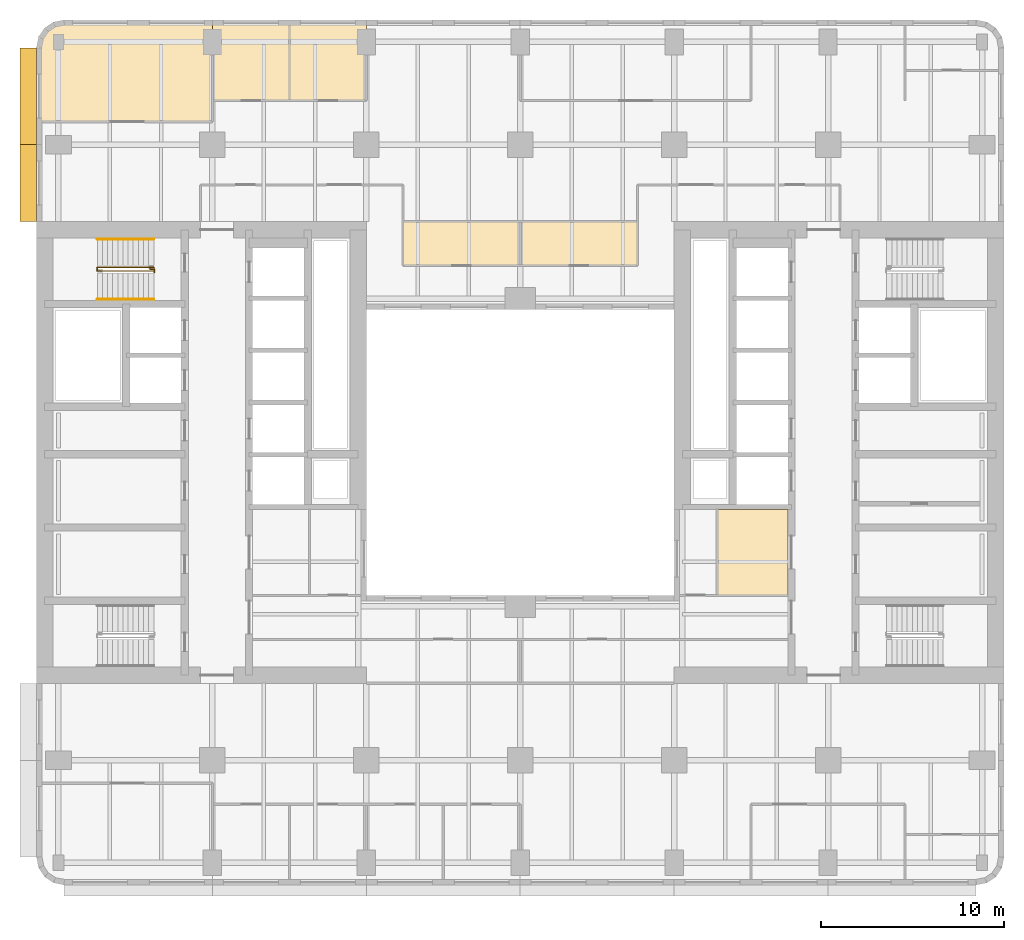
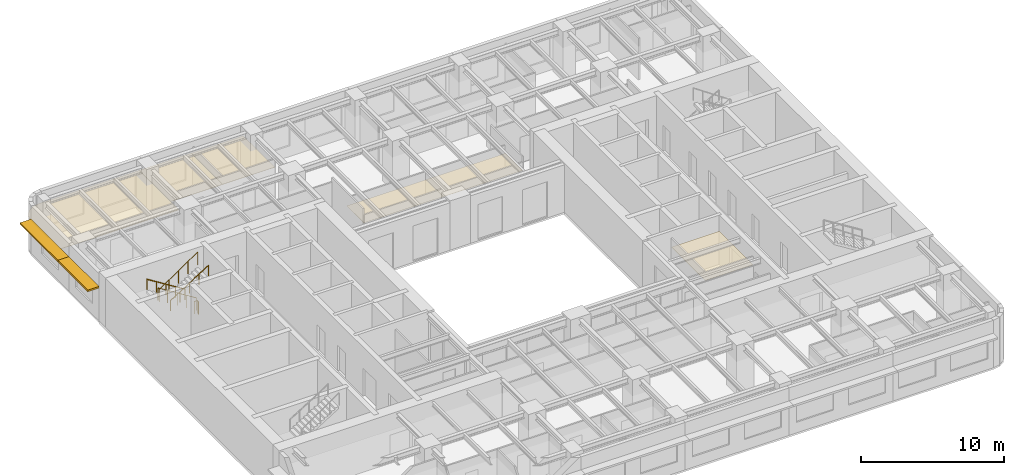
# One storey, part 10 of 11: 6 coverings, 4 railings, 2 shading devices.
"""IFC4 building model written with IfcOpenShell, lengths in metres."""

from ifc_helpers import new_model, si_unit, direction, frame, origin, origin_2d, place, context, subcontext, project, spatial, polyline, rectangle, circle, outline, extrude, material, layer, layer_set, type_object, element, save


model = new_model("IFC4")

# Units and contexts
model_context = context("Model", 3, precision=1e-05, world=origin(), true_north=direction((0.0, 1.0)))
body_context = subcontext(model_context, "Body", "Model", "MODEL_VIEW")
ifc_project = project(units=[si_unit("LENGTHUNIT", "METRE"), si_unit("AREAUNIT", "SQUARE_METRE"), si_unit("VOLUMEUNIT", "CUBIC_METRE"), si_unit("PLANEANGLEUNIT", "RADIAN"), si_unit("MASSUNIT", "GRAM", prefix="KILO")], contexts=[model_context])

# Site, building, storey
site_placement = place(None, origin())
site = spatial("IfcSite", under=ifc_project, at=site_placement, CompositionType="ELEMENT")
building_placement = place(site_placement, origin())
building = spatial("IfcBuilding", under=site, at=building_placement, Name="Claustro Exchange Tower", CompositionType="ELEMENT")
storey_placement = place(building_placement, frame((0.0, 0.0, 117.60009765625)))
storey = spatial("IfcBuildingStorey", under=building, at=storey_placement, Name="L26", CompositionType="ELEMENT", Elevation=117.60009765625)

# Coverings
ifc_material_1 = material(Name="Gypsum board ceiling", Category="gypsum board")
ifc_layer_1 = layer(ifc_material_1, 0.02490234375)
ifc_layer_set_1 = layer_set([ifc_layer_1], Name="Gypsum board ceiling")
covering_type = type_object("IfcCoveringType", Name="CL2 plasterboard ceiling", PredefinedType="CEILING", material=ifc_layer_set_1)
covering_1_placement = place(storey_placement, frame((0.0, 0.0, 2.7998046875)))
element("IfcCovering", 1, at=covering_1_placement, inside=storey, type_object=covering_type, Name="Ceiling CL2 L26-15", PredefinedType="CEILING", context=body_context, shape_type="SweptSolid", body=[
    extrude(outline(polyline([(39.800048828125, 17.39990234375), (39.800048828125, 22.10009765625), (35.9560546875, 22.10009765625), (35.9560546875, 17.39990234375), (39.800048828125, 17.39990234375)])), origin(), (0.0, 0.0, 1.0), 0.025146484375),
])
covering_2_placement = place(storey_placement, frame((0.0, 0.0, 2.7998046875)))
element("IfcCovering", 2, at=covering_2_placement, inside=storey, type_object=covering_type, Name="Ceiling CL2 L26-16", PredefinedType="CEILING", context=body_context, shape_type="SweptSolid", body=[
    extrude(outline(polyline([(18.800048828125, 35.39990234375), (25.199951171875, 35.39990234375), (25.199951171875, 37.800048828125), (18.800048828125, 37.800048828125), (18.800048828125, 35.39990234375)])), origin(), (0.0, 0.0, 1.0), 0.025146484375),
])
covering_3_placement = place(storey_placement, frame((0.0, 0.0, 2.7998046875)))
element("IfcCovering", 3, at=covering_3_placement, inside=storey, type_object=covering_type, Name="Ceiling CL2 L26-18", PredefinedType="CEILING", context=body_context, shape_type="SweptSolid", body=[
    extrude(outline(polyline([(25.199951171875, 35.39990234375), (31.60009765625, 35.39990234375), (31.60009765625, 37.800048828125), (25.199951171875, 37.800048828125), (25.199951171875, 35.39990234375)])), origin(), (0.0, 0.0, 1.0), 0.025146484375),
])
covering_4_placement = place(storey_placement, frame((0.0, 0.0, 2.7998046875)))
element("IfcCovering", 4, at=covering_4_placement, inside=storey, type_object=covering_type, Name="Ceiling CL2 L26-20", PredefinedType="CEILING", context=body_context, shape_type="SweptSolid", body=[
    extrude(outline(polyline([(-1.199951171875, 47.300048828125), (-1.199951171875, 43.25), (8.39990234375, 43.25), (8.39990234375, 48.800048828125), (0.300048828125, 48.800048828125), (-0.27392578125, 48.685791015625), (-0.7607421875, 48.360595703125), (-1.085693359375, 47.8740234375), (-1.199951171875, 47.300048828125)])), origin(), (0.0, 0.0, 1.0), 0.025146484375),
])
covering_5_placement = place(storey_placement, frame((0.0, 0.0, 2.7998046875)))
element("IfcCovering", 5, at=covering_5_placement, inside=storey, type_object=covering_type, Name="Ceiling CL2 L26-21", PredefinedType="CEILING", context=body_context, shape_type="SweptSolid", body=[
    extrude(outline(polyline([(12.60009765625, 48.800048828125), (8.39990234375, 48.800048828125), (8.39990234375, 44.39990234375), (12.60009765625, 44.39990234375), (12.60009765625, 48.800048828125)])), origin(), (0.0, 0.0, 1.0), 0.025146484375),
])
covering_6_placement = place(storey_placement, frame((0.0, 0.0, 2.7998046875)))
element("IfcCovering", 6, at=covering_6_placement, inside=storey, type_object=covering_type, Name="Ceiling CL2 L26-22", PredefinedType="CEILING", context=body_context, shape_type="SweptSolid", body=[
    extrude(outline(polyline([(16.800048828125, 48.800048828125), (12.60009765625, 48.800048828125), (12.60009765625, 44.39990234375), (16.800048828125, 44.39990234375), (16.800048828125, 48.800048828125)])), origin(), (0.0, 0.0, 1.0), 0.025146484375),
])

# Railings
ifc_material_2 = material(Name="Steel balustrade, painted", Category="steel")
railing_type_1 = type_object("IfcRailingType", Name="GR2 1100 steel stair guard", PredefinedType="GUARDRAIL", material=ifc_material_2)
railing_1_placement = place(storey_placement, frame((5.199951171875, 35.300048828125, 0.1748046875)))
element("IfcRailing", 7, at=railing_1_placement, inside=storey, type_object=railing_type_1, Name="Stair well guard GR2 stair STWB L26", PredefinedType="GUARDRAIL", context=body_context, shape_type="SweptSolid", body=[
    extrude(circle(Radius=0.02392578125, at=origin_2d()), frame((0.0, 0.0, 1.076171875), z_axis=(-0.847979421464, 0.0, 0.530029150871), x_axis=(0.0, -1.0, 0.0)), (0.0, 0.0, 1.0), 3.632080078125),
    extrude(circle(Radius=0.02392578125, at=origin_2d()), frame((-3.079833984375, 0.0, 3.0009765625), z_axis=(0.0, -1.0, 0.0), x_axis=(1.0, 0.0, 0.0)), (0.0, 0.0, 1.0), 0.199951171875),
    extrude(circle(Radius=0.02392578125, at=origin_2d()), frame((-3.079833984375, -0.199951171875, 3.0009765625), z_axis=(0.826201015165, 0.0, 0.563375436579), x_axis=(0.0, 1.0, 0.0)), (0.0, 0.0, 1.0), 3.727783203125),
    extrude(circle(Radius=0.02099609375, at=origin_2d()), origin(), (0.0, 0.0, 1.0), 1.052001953125),
    extrude(circle(Radius=0.02099609375, at=origin_2d()), frame((-0.77001953125, 0.0, 0.481201171875)), (0.0, 0.0, 1.0), 1.052001953125),
    extrude(circle(Radius=0.02099609375, at=origin_2d()), frame((-1.5400390625, 0.0, 0.96240234375)), (0.0, 0.0, 1.0), 1.052001953125),
    extrude(circle(Radius=0.02099609375, at=origin_2d()), frame((-2.309814453125, 0.0, 1.44384765625)), (0.0, 0.0, 1.0), 1.052001953125),
    extrude(circle(Radius=0.02099609375, at=origin_2d()), frame((-3.079833984375, 0.0, 1.925048828125)), (0.0, 0.0, 1.0), 1.052001953125),
    extrude(circle(Radius=0.02099609375, at=origin_2d()), frame((-3.079833984375, -0.199951171875, 1.925048828125)), (0.0, 0.0, 1.0), 1.052001953125),
    extrude(circle(Radius=0.02099609375, at=origin_2d()), frame((-2.309814453125, -0.199951171875, 2.4501953125)), (0.0, 0.0, 1.0), 1.052001953125),
    extrude(circle(Radius=0.02099609375, at=origin_2d()), frame((-1.5400390625, -0.199951171875, 2.97509765625)), (0.0, 0.0, 1.0), 1.052001953125),
    extrude(circle(Radius=0.02099609375, at=origin_2d()), frame((-0.77001953125, -0.199951171875, 3.5)), (0.0, 0.0, 1.0), 1.052001953125),
    extrude(circle(Radius=0.02099609375, at=origin_2d()), frame((0.0, -0.199951171875, 4.025146484375)), (0.0, 0.0, 1.0), 1.052001953125),
])
railing_2_placement = place(storey_placement, frame((5.0, 35.22998046875, 0.0)))
element("IfcRailing", 8, at=railing_2_placement, inside=storey, type_object=railing_type_1, Name="Stair guard GR2 STWB L26", PredefinedType="GUARDRAIL", context=body_context, shape_type="SweptSolid", body=[
    extrude(circle(Radius=0.02392578125, at=origin_2d()), frame((0.0, 0.0, 1.076171875), z_axis=(0.0, -1.0, 0.0), x_axis=(1.0, 0.0, 0.0)), (0.0, 0.0, 1.0), 0.030029296875),
    extrude(circle(Radius=0.02392578125, at=origin_2d()), frame((0.0, -0.030029296875, 1.076171875), z_axis=(1.0, 0.0, 0.0), x_axis=(0.0, 1.0, 0.0)), (0.0, 0.0, 1.0), 0.22509765625),
    extrude(circle(Radius=0.02392578125, at=origin_2d()), frame((0.22509765625, -0.030029296875, 1.076171875), z_axis=(0.0, -1.0, 0.0), x_axis=(1.0, 0.0, 0.0)), (0.0, 0.0, 1.0), 0.179931640625),
    extrude(circle(Radius=0.02099609375, at=origin_2d()), origin(), (0.0, 0.0, 1.0), 1.052001953125),
    extrude(circle(Radius=0.02099609375, at=origin_2d()), frame((0.0, -0.030029296875, 0.0)), (0.0, 0.0, 1.0), 1.052001953125),
    extrude(circle(Radius=0.02099609375, at=origin_2d()), frame((0.22509765625, -0.030029296875, 0.0)), (0.0, 0.0, 1.0), 1.052001953125),
    extrude(circle(Radius=0.02099609375, at=origin_2d()), frame((0.22509765625, -0.2099609375, 0.0)), (0.0, 0.0, 1.0), 1.052001953125),
])
ifc_material_3 = material(Name="Stainless steel tube", Category="steel")
railing_type_2 = type_object("IfcRailingType", Name="HR1 900 stair handrail", PredefinedType="HANDRAIL", material=ifc_material_3)
railing_3_placement = place(storey_placement, frame((5.199951171875, 36.840087890625, 0.1748046875)))
element("IfcRailing", 9, at=railing_3_placement, inside=storey, type_object=railing_type_2, Name="Handrail HR1 stair STWB L26", PredefinedType="HANDRAIL", context=body_context, shape_type="SweptSolid", body=[
    extrude(circle(Radius=0.02392578125, at=origin_2d()), frame((0.0, 0.0, 0.8759765625), z_axis=(-0.847979421464, 0.0, 0.530029150871), x_axis=(0.0, -1.0, 0.0)), (0.0, 0.0, 1.0), 3.632080078125),
    extrude(circle(Radius=0.02099609375, at=origin_2d()), origin(), (0.0, 0.0, 1.0), 0.851806640625),
    extrude(circle(Radius=0.02099609375, at=origin_2d()), frame((-0.77001953125, 0.0, 0.481201171875)), (0.0, 0.0, 1.0), 0.851806640625),
    extrude(circle(Radius=0.02099609375, at=origin_2d()), frame((-1.5400390625, 0.0, 0.96240234375)), (0.0, 0.0, 1.0), 0.851806640625),
    extrude(circle(Radius=0.02099609375, at=origin_2d()), frame((-2.309814453125, 0.0, 1.44384765625)), (0.0, 0.0, 1.0), 0.851806640625),
    extrude(circle(Radius=0.02099609375, at=origin_2d()), frame((-3.079833984375, 0.0, 1.925048828125)), (0.0, 0.0, 1.0), 0.851806640625),
])
railing_4_placement = place(storey_placement, frame((2.1201171875, 33.56005859375, 2.27490234375)))
element("IfcRailing", 10, at=railing_4_placement, inside=storey, type_object=railing_type_2, Name="Handrail HR1 stair STWB L26", PredefinedType="HANDRAIL", context=body_context, shape_type="SweptSolid", body=[
    extrude(circle(Radius=0.02392578125, at=origin_2d()), frame((0.0, 0.0, 0.8759765625), z_axis=(0.847979421464, 0.0, 0.530029150871), x_axis=(0.0, 1.0, 0.0)), (0.0, 0.0, 1.0), 3.632080078125),
    extrude(circle(Radius=0.02099609375, at=origin_2d()), origin(), (0.0, 0.0, 1.0), 0.851806640625),
    extrude(circle(Radius=0.02099609375, at=origin_2d()), frame((0.77001953125, 0.0, 0.481201171875)), (0.0, 0.0, 1.0), 0.851806640625),
    extrude(circle(Radius=0.02099609375, at=origin_2d()), frame((1.5400390625, 0.0, 0.96240234375)), (0.0, 0.0, 1.0), 0.851806640625),
    extrude(circle(Radius=0.02099609375, at=origin_2d()), frame((2.309814453125, 0.0, 1.44384765625)), (0.0, 0.0, 1.0), 0.851806640625),
    extrude(circle(Radius=0.02099609375, at=origin_2d()), frame((3.079833984375, 0.0, 1.925048828125)), (0.0, 0.0, 1.0), 0.851806640625),
])

# Shading devices
ifc_material_4 = material(Name="Concrete HA-40 (C40/50), precast, white cement, acid-etched", Category="concrete")
ifc_layer_2 = layer(ifc_material_4, 0.14990234375)
ifc_layer_set_2 = layer_set([ifc_layer_2], Name="Concrete HA-40 (C40/50), precast, white cement, acid-etched")
shading_device_type = type_object("IfcShadingDeviceType", Name="SS2 900 precast concrete SUNSHADE", PredefinedType="SHUTTER", material=ifc_layer_set_2)
shading_device_1_placement = place(storey_placement, frame((-1.64990234375, 39.89990234375, 2.800048828125), z_axis=(0.0, 0.0, 1.0), x_axis=(0.0, 1.0, 0.0)))
element("IfcShadingDevice", 11, at=shading_device_1_placement, inside=storey, type_object=shading_device_type, Name="Precast SUNSHADE SS2 L26", PredefinedType="SHUTTER", context=body_context, shape_type="SweptSolid", body=[
    extrude(rectangle(XDim=4.199951171875, YDim=0.89990234375, at=origin_2d()), origin(), (0.0, 0.0, 1.0), 0.14990234375),
])
shading_device_2_placement = place(storey_placement, frame((-1.64990234375, 44.642578125, 2.800048828125), z_axis=(0.0, 0.0, 1.0), x_axis=(0.0, 1.0, 0.0)))
element("IfcShadingDevice", 12, at=shading_device_2_placement, inside=storey, type_object=shading_device_type, Name="Precast SUNSHADE SS2 L26", PredefinedType="SHUTTER", context=body_context, shape_type="SweptSolid", body=[
    extrude(rectangle(XDim=5.28515625, YDim=0.89990234375, at=origin_2d()), origin(), (0.0, 0.0, 1.0), 0.14990234375),
])

save(model, "model.ifc")
